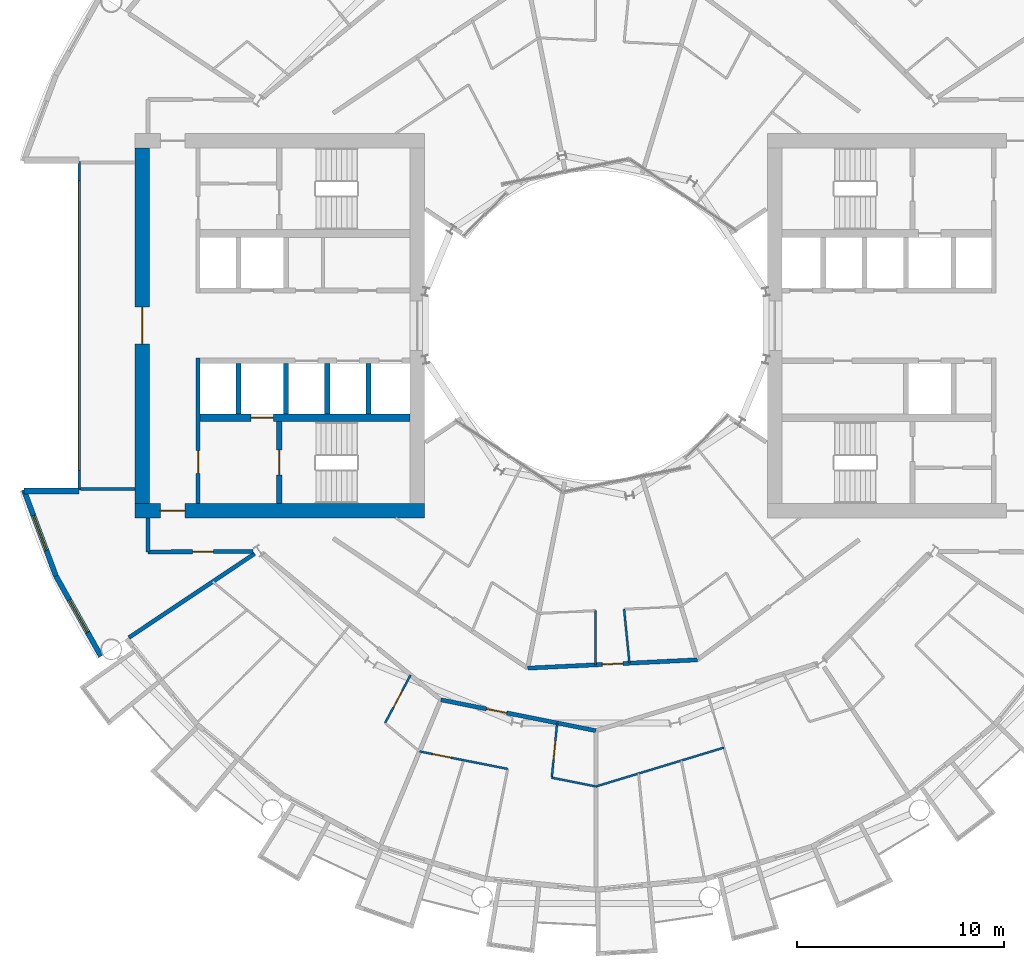
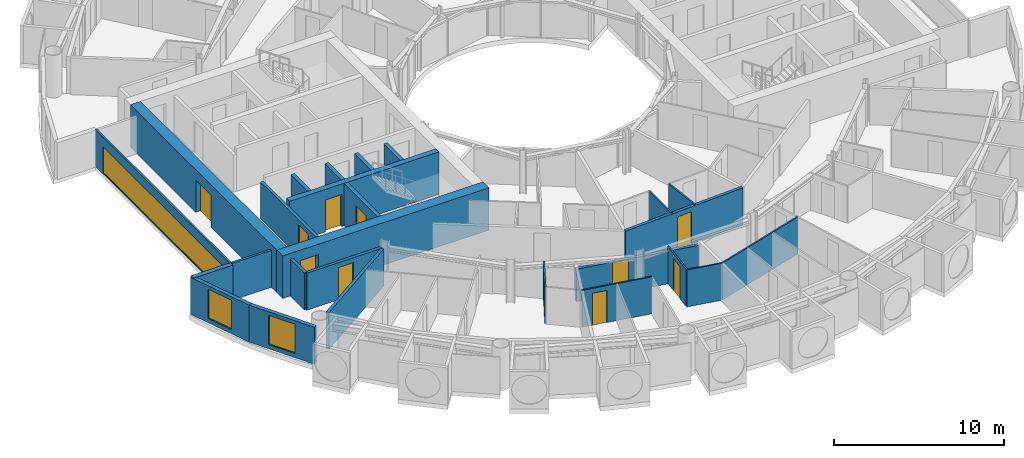
# One storey, part 14 of 25: 26 walls, 11 doors, 3 windows, 14 openings.
"""IFC4 building model written with IfcOpenShell, lengths in metres."""

from ifc_helpers import new_model, si_unit, direction, frame, frame_2d, origin, place, context, subcontext, project, spatial, rectangle, extrude, material, layer, layer_set, type_object, element, fill, save


model = new_model("IFC4")

# Units and contexts
model_context = context("Model", 3, precision=1e-05, world=origin(), true_north=direction((0.0, 1.0)))
body_context = subcontext(model_context, "Body", "Model", "MODEL_VIEW")
ifc_project = project(units=[si_unit("LENGTHUNIT", "METRE"), si_unit("AREAUNIT", "SQUARE_METRE"), si_unit("VOLUMEUNIT", "CUBIC_METRE"), si_unit("PLANEANGLEUNIT", "RADIAN"), si_unit("MASSUNIT", "GRAM", prefix="KILO")], contexts=[model_context])

# Site, building, storey
site_placement = place(None, origin())
site = spatial("IfcSite", under=ifc_project, at=site_placement, CompositionType="ELEMENT")
building_placement = place(site_placement, origin())
building = spatial("IfcBuilding", under=site, at=building_placement, Name="Maasbend Ring Residences", CompositionType="ELEMENT")
storey_placement = place(building_placement, frame((0.0, 0.0, 94.10009765625)))
storey = spatial("IfcBuildingStorey", under=building, at=storey_placement, Name="L27", CompositionType="ELEMENT", Elevation=94.10009765625)

# Wall, opening, door
ifc_material_1 = material(Name="Concrete C70/85", Category="concrete")
ifc_layer_1 = layer(ifc_material_1, 0.25)
ifc_layer_set_1 = layer_set([ifc_layer_1], Name="Concrete C70/85")
wall_type_1 = type_object("IfcWallType", Name="CORE WALL 250 C70/85", PredefinedType="SHEAR", material=ifc_layer_set_1)
wall_1_placement = place(storey_placement, frame((-15.324951171875, -4.64990234375, 0.0), z_axis=(0.0, 0.0, 1.0), x_axis=(0.0, -1.0, 0.0)))
wall_1 = element("IfcWall", 1, at=wall_1_placement, inside=storey, type_object=wall_type_1, Name="L27 core W wall STEN", PredefinedType="SHEAR", context=body_context, shape_type="SweptSolid", body=[
    extrude(rectangle(XDim=3.9501953125, YDim=0.25, at=frame_2d((1.97509765625, 0.0))), origin(), (0.0, 0.0, 1.0), 3.0498046875),
])
opening_1_placement = place(wall_1_placement, frame((1.375, 0.0, 0.0)))
opening_1 = element("IfcOpeningElement", 2, at=opening_1_placement, cuts=wall_1, Name="Opening D-W2709", PredefinedType="OPENING", context=body_context, shape_type="SweptSolid", body=[
    extrude(rectangle(XDim=1.199951171875, YDim=2.300048828125, at=frame_2d((0.60009765625, 1.14990234375))), frame((0.0, 0.135009765625, 0.0), z_axis=(0.0, -1.0, 0.0), x_axis=(1.0, 0.0, 0.0)), (0.0, 0.0, 1.0), 0.27001953125),
])
ifc_material_2 = material(Name="Steel, powder coated", Category="steel")
door_type_1 = type_object("IfcDoorType", Name="STAIR DOOR 1200 X 2300 FD60", OperationType="NOTDEFINED", PredefinedType="DOOR", material=ifc_material_2)
door_1_placement = place(opening_1_placement, origin())
door_1 = element("IfcDoor", 3, at=door_1_placement, inside=storey, type_object=door_type_1, Name="Stair door ST-W L27", OperationType="SINGLE_SWING_LEFT", OverallHeight=2.300048828125, OverallWidth=1.199951171875, PredefinedType="DOOR", context=body_context, shape_type="SweptSolid", body=[
    extrude(rectangle(XDim=1.199951171875, YDim=2.300048828125, at=frame_2d((0.60009765625, 1.14990234375))), frame((0.0, 0.02490234375, 0.0), z_axis=(0.0, -1.0, 0.0), x_axis=(1.0, 0.0, 0.0)), (0.0, 0.0, 1.0), 0.050048828125),
])
fill(opening_1, door_1)

ifc_material_3 = material(Name="Concrete C70/85", Category="concrete")
ifc_layer_2 = layer(ifc_material_3, 0.375)
ifc_layer_set_2 = layer_set([ifc_layer_2], Name="Concrete C70/85")
wall_type_2 = type_object("IfcWallType", Name="CORE WALL 375 C70/85", PredefinedType="SHEAR", material=ifc_layer_set_2)
wall_2_placement = place(storey_placement, frame((-9.0, -4.46240234375, 0.0), z_axis=(0.0, 0.0, 1.0), x_axis=(-1.0, 0.0, 0.0)))
wall_2 = element("IfcWall", 4, at=wall_2_placement, inside=storey, type_object=wall_type_2, Name="L27 core W wall BN", PredefinedType="SHEAR", context=body_context, shape_type="SweptSolid", body=[
    extrude(rectangle(XDim=10.14990234375, YDim=0.375, at=frame_2d((5.074951171875, 0.0))), origin(), (0.0, 0.0, 1.0), 3.0498046875),
])
opening_2_placement = place(wall_2_placement, frame((6.60009765625, 0.0, 0.0)))
opening_2 = element("IfcOpeningElement", 5, at=opening_2_placement, cuts=wall_2, Name="Opening LD-W2704", PredefinedType="OPENING", context=body_context, shape_type="SweptSolid", body=[
    extrude(rectangle(XDim=1.10009765625, YDim=2.300048828125, at=frame_2d((0.550048828125, 1.14990234375))), frame((0.0, 0.197509765625, 0.0), z_axis=(0.0, -1.0, 0.0), x_axis=(1.0, 0.0, 0.0)), (0.0, 0.0, 1.0), 0.39501953125),
])
ifc_material_4 = material(Name="Stainless steel 316", Category="steel")
door_type_2 = type_object("IfcDoorType", Name="LANDING DOOR 1100 X 2300 FD60", OperationType="DOUBLE_DOOR_SLIDING", PredefinedType="DOOR", material=ifc_material_4)
door_2_placement = place(opening_2_placement, origin())
door_2 = element("IfcDoor", 6, at=door_2_placement, inside=storey, type_object=door_type_2, Name="Landing door FF-W L27", OperationType="DOUBLE_DOOR_SLIDING", OverallHeight=2.300048828125, OverallWidth=1.10009765625, PredefinedType="DOOR", context=body_context, shape_type="SweptSolid", body=[
    extrude(rectangle(XDim=1.10009765625, YDim=2.300048828125, at=frame_2d((0.550048828125, 1.14990234375))), frame((0.0, 0.02490234375, 0.0), z_axis=(0.0, -1.0, 0.0), x_axis=(1.0, 0.0, 0.0)), (0.0, 0.0, 1.0), 0.050048828125),
])
fill(opening_2, door_2)

ifc_material_5 = material(Name="Concrete C70/85", Category="concrete")
ifc_layer_3 = layer(ifc_material_5, 0.699951171875)
ifc_layer_set_3 = layer_set([ifc_layer_3], Name="Concrete C70/85")
wall_type_3 = type_object("IfcWallType", Name="CORE WALL 700 C70/85", PredefinedType="SHEAR", material=ifc_layer_set_3)
wall_3_placement = place(storey_placement, frame((-22.300048828125, -8.949951171875, 0.0), z_axis=(0.0, 0.0, 1.0), x_axis=(1.0, 0.0, 0.0)))
wall_3 = element("IfcWall", 7, at=wall_3_placement, inside=storey, type_object=wall_type_3, Name="L27 core W wall PN", PredefinedType="SHEAR", context=body_context, shape_type="SweptSolid", body=[
    extrude(rectangle(XDim=14.0, YDim=0.699951171875, at=frame_2d((7.0, 0.0))), origin(), (0.0, 0.0, 1.0), 3.0498046875),
])
opening_3_placement = place(wall_3_placement, frame((1.22509765625, 0.0, 0.0)))
opening_3 = element("IfcOpeningElement", 8, at=opening_3_placement, cuts=wall_3, Name="Opening D-W2713", PredefinedType="OPENING", context=body_context, shape_type="SweptSolid", body=[
    extrude(rectangle(XDim=1.199951171875, YDim=2.300048828125, at=frame_2d((0.60009765625, 1.14990234375))), frame((0.0, 0.35986328125, 0.0), z_axis=(0.0, -1.0, 0.0), x_axis=(1.0, 0.0, 0.0)), (0.0, 0.0, 1.0), 0.719970703125),
])
ifc_material_6 = material(Name="Steel, powder coated", Category="steel")
door_type_3 = type_object("IfcDoorType", Name="CORRIDOR DOOR 1200 X 2300 FD30S", OperationType="NOTDEFINED", PredefinedType="DOOR", material=ifc_material_6)
door_3_placement = place(opening_3_placement, origin())
door_3 = element("IfcDoor", 9, at=door_3_placement, inside=storey, type_object=door_type_3, Name="Corridor door L27", OperationType="SINGLE_SWING_RIGHT", OverallHeight=2.300048828125, OverallWidth=1.199951171875, PredefinedType="DOOR", context=body_context, shape_type="SweptSolid", body=[
    extrude(rectangle(XDim=1.199951171875, YDim=2.300048828125, at=frame_2d((0.60009765625, 1.14990234375))), frame((0.0, 0.02490234375, 0.0), z_axis=(0.0, -1.0, 0.0), x_axis=(1.0, 0.0, 0.0)), (0.0, 0.0, 1.0), 0.050048828125),
])
fill(opening_3, door_3)

wall_4_placement = place(storey_placement, frame((-21.949951171875, -8.60009765625, 0.0), z_axis=(0.0, 0.0, 1.0), x_axis=(0.0, 1.0, 0.0)))
wall_4 = element("IfcWall", 10, at=wall_4_placement, inside=storey, type_object=wall_type_3, Name="L27 core W wall POUT", PredefinedType="SHEAR", context=body_context, shape_type="SweptSolid", body=[
    extrude(rectangle(XDim=17.2001953125, YDim=0.699951171875, at=frame_2d((8.60009765625, 0.0))), origin(), (0.0, 0.0, 1.0), 3.0498046875),
])
opening_4_placement = place(wall_4_placement, frame((7.699951171875, 0.0, 0.0)))
opening_4 = element("IfcOpeningElement", 11, at=opening_4_placement, cuts=wall_4, Name="Opening D-W2715", PredefinedType="OPENING", context=body_context, shape_type="SweptSolid", body=[
    extrude(rectangle(XDim=1.800048828125, YDim=2.300048828125, at=frame_2d((0.89990234375, 1.14990234375))), frame((0.0, 0.35986328125, 0.0), z_axis=(0.0, -1.0, 0.0), x_axis=(1.0, 0.0, 0.0)), (0.0, 0.0, 1.0), 0.719970703125),
])
ifc_material_7 = material(Name="Aluminium frame, clear glass", Category="aluminium")
door_type_4 = type_object("IfcDoorType", Name="ENTRANCE DOOR 1800 X 2300 FD60", OperationType="NOTDEFINED", PredefinedType="DOOR", material=ifc_material_7)
door_4_placement = place(opening_4_placement, origin())
door_4 = element("IfcDoor", 12, at=door_4_placement, inside=storey, type_object=door_type_4, Name="Lobby glazed door L27", OperationType="SINGLE_SWING_LEFT", OverallHeight=2.300048828125, OverallWidth=1.800048828125, PredefinedType="DOOR", context=body_context, shape_type="SweptSolid", body=[
    extrude(rectangle(XDim=1.800048828125, YDim=2.300048828125, at=frame_2d((0.89990234375, 1.14990234375))), frame((0.0, 0.02490234375, 0.0), z_axis=(0.0, -1.0, 0.0), x_axis=(1.0, 0.0, 0.0)), (0.0, 0.0, 1.0), 0.050048828125),
])
fill(opening_4, door_4)

ifc_material_8 = material(Name="Concrete C30/37", Category="concrete")
ifc_layer_4 = layer(ifc_material_8, 0.199951171875)
ifc_layer_set_4 = layer_set([ifc_layer_4], Name="Concrete C30/37")
wall_type_4 = type_object("IfcWallType", Name="CORRIDOR WALL 200 CONCRETE", PredefinedType="PARTITIONING", material=ifc_layer_set_4)
wall_5_placement = place(storey_placement, frame((-7.5009765625, -18.10791015625, 0.0), z_axis=(0.0, 0.0, 1.0), x_axis=(0.980781515054, -0.195109250749, 0.0)))
wall_5 = element("IfcWall", 13, at=wall_5_placement, inside=storey, type_object=wall_type_4, Name="U-L27-w011", PredefinedType="PARTITIONING", context=body_context, shape_type="SweptSolid", body=[
    extrude(rectangle(XDim=7.64794921875, YDim=0.199951171875, at=frame_2d((3.823974609375, 0.0))), origin(), (0.0, 0.0, 1.0), 2.329833984375),
])
opening_5_placement = place(wall_5_placement, frame((2.25, 0.0, 0.0)))
opening_5 = element("IfcOpeningElement", 14, at=opening_5_placement, cuts=wall_5, Name="Opening D-2738", PredefinedType="OPENING", context=body_context, shape_type="SweptSolid", body=[
    extrude(rectangle(XDim=1.0, YDim=2.300048828125, at=frame_2d((0.5, 1.14990234375))), frame((0.0, 0.10986328125, 0.0), z_axis=(0.0, -1.0, 0.0), x_axis=(1.0, 0.0, 0.0)), (0.0, 0.0, 1.0), 0.219970703125),
])
ifc_material_9 = material(Name="Timber, fire-rated, painted", Category="wood")
door_type_5 = type_object("IfcDoorType", Name="FLAT ENTRANCE DOOR 1000 X 2300 FIRE-RATED", OperationType="NOTDEFINED", PredefinedType="DOOR", material=ifc_material_9)
door_5_placement = place(opening_5_placement, origin())
door_5 = element("IfcDoor", 15, at=door_5_placement, inside=storey, type_object=door_type_5, Name="D-2738", OperationType="SINGLE_SWING_LEFT", OverallHeight=2.300048828125, OverallWidth=1.0, PredefinedType="DOOR", context=body_context, shape_type="SweptSolid", body=[
    extrude(rectangle(XDim=1.0, YDim=2.300048828125, at=frame_2d((0.5, 1.14990234375))), frame((0.0, 0.02490234375, 0.0), z_axis=(0.0, -1.0, 0.0), x_axis=(1.0, 0.0, 0.0)), (0.0, 0.0, 1.0), 0.050048828125),
])
fill(opening_5, door_5)

wall_6_placement = place(storey_placement, frame((-3.297119140625, -16.574951171875, 0.0), z_axis=(0.0, 0.0, 1.0), x_axis=(0.998796706656, 0.0490422142, 0.0)))
wall_6 = element("IfcWall", 16, at=wall_6_placement, inside=storey, type_object=wall_type_4, Name="U-L27-w015", PredefinedType="PARTITIONING", context=body_context, shape_type="SweptSolid", body=[
    extrude(rectangle(XDim=8.2138671875, YDim=0.199951171875, at=frame_2d((4.10693359375, 0.0))), origin(), (0.0, 0.0, 1.0), 2.64990234375),
])
opening_6_placement = place(wall_6_placement, frame((3.614013671875, 0.0, 0.0)))
opening_6 = element("IfcOpeningElement", 17, at=opening_6_placement, cuts=wall_6, Name="Opening D-2756", PredefinedType="OPENING", context=body_context, shape_type="SweptSolid", body=[
    extrude(rectangle(XDim=1.0, YDim=2.300048828125, at=frame_2d((0.5, 1.14990234375))), frame((0.0, 0.10986328125, 0.0), z_axis=(0.0, -1.0, 0.0), x_axis=(1.0, 0.0, 0.0)), (0.0, 0.0, 1.0), 0.219970703125),
])
door_6_placement = place(opening_6_placement, origin())
door_6 = element("IfcDoor", 18, at=door_6_placement, inside=storey, type_object=door_type_5, Name="D-2756", OperationType="SINGLE_SWING_RIGHT", OverallHeight=2.300048828125, OverallWidth=1.0, PredefinedType="DOOR", context=body_context, shape_type="SweptSolid", body=[
    extrude(rectangle(XDim=1.0, YDim=2.300048828125, at=frame_2d((0.5, 1.14990234375))), frame((0.0, 0.02490234375, 0.0), z_axis=(0.0, -1.0, 0.0), x_axis=(1.0, 0.0, 0.0)), (0.0, 0.0, 1.0), 0.050048828125),
])
fill(opening_6, door_6)

wall_7_placement = place(storey_placement, frame((-21.675048828125, -10.949951171875, 0.0), z_axis=(0.0, 0.0, 1.0), x_axis=(0.999988944514, 0.004702217579, 0.0)))
wall_7 = element("IfcWall", 19, at=wall_7_placement, inside=storey, type_object=wall_type_4, Name="U-L27-w024", PredefinedType="PARTITIONING", context=body_context, shape_type="SweptSolid", body=[
    extrude(rectangle(XDim=5.088134765625, YDim=0.199951171875, at=frame_2d((2.5439453125, 0.0))), origin(), (0.0, 0.0, 1.0), 2.64990234375),
])
opening_7_placement = place(wall_7_placement, frame((2.162109375, 0.0, 0.0)))
opening_7 = element("IfcOpeningElement", 20, at=opening_7_placement, cuts=wall_7, Name="Opening D-2763", PredefinedType="OPENING", context=body_context, shape_type="SweptSolid", body=[
    extrude(rectangle(XDim=1.0, YDim=2.300048828125, at=frame_2d((0.5, 1.14990234375))), frame((0.0, 0.10986328125, 0.0), z_axis=(0.0, -1.0, 0.0), x_axis=(1.0, 0.0, 0.0)), (0.0, 0.0, 1.0), 0.219970703125),
])
ifc_material_10 = material(Name="Timber, painted", Category="wood")
door_type_6 = type_object("IfcDoorType", Name="ROOM DOOR 1000 X 2300", OperationType="NOTDEFINED", PredefinedType="DOOR", material=ifc_material_10)
door_7_placement = place(opening_7_placement, origin())
door_7 = element("IfcDoor", 21, at=door_7_placement, inside=storey, type_object=door_type_6, Name="D-2763", OperationType="SINGLE_SWING_RIGHT", OverallHeight=2.300048828125, OverallWidth=1.0, PredefinedType="DOOR", context=body_context, shape_type="SweptSolid", body=[
    extrude(rectangle(XDim=1.0, YDim=2.300048828125, at=frame_2d((0.5, 1.14990234375))), frame((0.0, 0.02490234375, 0.0), z_axis=(0.0, -1.0, 0.0), x_axis=(1.0, 0.0, 0.0)), (0.0, 0.0, 1.0), 0.050048828125),
])
fill(opening_7, door_7)

# Wall
wall_8_placement = place(storey_placement, frame((-21.675048828125, -10.949951171875, 0.0), z_axis=(0.0, 0.0, 1.0), x_axis=(0.0, 1.0, 0.0)))
element("IfcWall", 22, at=wall_8_placement, inside=storey, type_object=wall_type_4, Name="U-L27-w106", PredefinedType="PARTITIONING", context=body_context, shape_type="SweptSolid", body=[
    extrude(rectangle(XDim=1.64990234375, YDim=0.199951171875, at=frame_2d((0.824951171875, 0.0))), origin(), (0.0, 0.0, 1.0), 2.64990234375),
])

# Wall, opening, window
ifc_material_11 = material(Name="Aluminium clad insulated panel", Category="aluminium")
ifc_layer_5 = layer(ifc_material_11, 0.25)
ifc_layer_set_5 = layer_set([ifc_layer_5], Name="EW-HORN")
wall_type_5 = type_object("IfcWallType", Name="EW-HORN", PredefinedType="SOLIDWALL", material=ifc_layer_set_5)
wall_9_placement = place(storey_placement, frame((-27.681884765625, -7.945068359375, 0.0), z_axis=(0.0, 0.0, 1.0), x_axis=(0.349247811493, -0.937030397675, 0.0)))
wall_9 = element("IfcWall", 23, at=wall_9_placement, inside=storey, type_object=wall_type_5, Name="Horn wall 3.1", PredefinedType="SOLIDWALL", context=body_context, shape_type="SweptSolid", body=[
    extrude(rectangle(XDim=4.4521484375, YDim=0.25, at=frame_2d((2.22607421875, 0.0))), origin(), (0.0, 0.0, 1.0), 2.64990234375),
])
opening_8_placement = place(wall_9_placement, frame((1.32666015625, 0.0, 0.300048828125)))
opening_8 = element("IfcOpeningElement", 24, at=opening_8_placement, cuts=wall_9, Name="Opening W-BX", PredefinedType="OPENING", context=body_context, shape_type="SweptSolid", body=[
    extrude(rectangle(XDim=1.800048828125, YDim=2.10009765625, at=frame_2d((0.89990234375, 1.050048828125))), frame((0.0, 0.135009765625, 0.0), z_axis=(0.0, -1.0, 0.0), x_axis=(1.0, 0.0, 0.0)), (0.0, 0.0, 1.0), 0.27001953125),
])
ifc_material_12 = material(Name="Aluminium and clear glass", Category="aluminium")
window_type_1 = type_object("IfcWindowType", Name="W-BX", PartitioningType="DOUBLE_PANEL_VERTICAL", PredefinedType="WINDOW", material=ifc_material_12)
window_1_placement = place(opening_8_placement, origin())
window_1 = element("IfcWindow", 25, at=window_1_placement, inside=storey, type_object=window_type_1, Name="Horn window 3.1", OverallHeight=2.10009765625, OverallWidth=1.800048828125, PartitioningType="SINGLE_PANEL", PredefinedType="WINDOW", context=body_context, shape_type="SweptSolid", body=[
    extrude(rectangle(XDim=1.800048828125, YDim=2.10009765625, at=frame_2d((0.89990234375, 1.050048828125))), frame((0.0, 0.030029296875, 0.0), z_axis=(0.0, -1.0, 0.0), x_axis=(1.0, 0.0, 0.0)), (0.0, 0.0, 1.0), 0.06005859375),
])
fill(opening_8, window_1)

wall_10_placement = place(storey_placement, frame((-26.126953125, -12.116943359375, 0.0), z_axis=(0.0, 0.0, 1.0), x_axis=(0.489696356642, -0.871893042919, 0.0)))
wall_10 = element("IfcWall", 26, at=wall_10_placement, inside=storey, type_object=wall_type_5, Name="Horn wall 3.2", PredefinedType="SOLIDWALL", context=body_context, shape_type="SweptSolid", body=[
    extrude(rectangle(XDim=4.45361328125, YDim=0.25, at=frame_2d((2.226806640625, 0.0))), origin(), (0.0, 0.0, 1.0), 2.64990234375),
])
opening_9_placement = place(wall_10_placement, frame((1.32666015625, 0.0, 0.300048828125)))
opening_9 = element("IfcOpeningElement", 27, at=opening_9_placement, cuts=wall_10, Name="Opening W-BX", PredefinedType="OPENING", context=body_context, shape_type="SweptSolid", body=[
    extrude(rectangle(XDim=1.800048828125, YDim=2.10009765625, at=frame_2d((0.89990234375, 1.050048828125))), frame((0.0, 0.135009765625, 0.0), z_axis=(0.0, -1.0, 0.0), x_axis=(1.0, 0.0, 0.0)), (0.0, 0.0, 1.0), 0.27001953125),
])
window_2_placement = place(opening_9_placement, origin())
window_2 = element("IfcWindow", 28, at=window_2_placement, inside=storey, type_object=window_type_1, Name="Horn window 3.2", OverallHeight=2.10009765625, OverallWidth=1.800048828125, PartitioningType="SINGLE_PANEL", PredefinedType="WINDOW", context=body_context, shape_type="SweptSolid", body=[
    extrude(rectangle(XDim=1.800048828125, YDim=2.10009765625, at=frame_2d((0.89990234375, 1.050048828125))), frame((0.0, 0.030029296875, 0.0), z_axis=(0.0, -1.0, 0.0), x_axis=(1.0, 0.0, 0.0)), (0.0, 0.0, 1.0), 0.06005859375),
])
fill(opening_9, window_2)

# Wall
ifc_material_13 = material(Name="Aluminium clad insulated panel", Category="aluminium")
ifc_layer_6 = layer(ifc_material_13, 0.300048828125)
ifc_layer_set_6 = layer_set([ifc_layer_6], Name="EW-RET")
wall_type_6 = type_object("IfcWallType", Name="EW-RET", PredefinedType="SOLIDWALL", material=ifc_layer_set_6)
wall_11_placement = place(storey_placement, frame((-25.0, -8.0, 0.0), z_axis=(0.0, 0.0, 1.0), x_axis=(-1.0, 0.0, 0.0)))
element("IfcWall", 29, at=wall_11_placement, inside=storey, type_object=wall_type_6, Name="Notch return wall west south", PredefinedType="SOLIDWALL", context=body_context, shape_type="SweptSolid", body=[
    extrude(rectangle(XDim=2.6669921875, YDim=0.300048828125, at=frame_2d((1.33349609375, 0.0))), origin(), (0.0, 0.0, 1.0), 2.64990234375),
])

# Wall, opening, window
ifc_material_14 = material(Name="Aluminium frame and clear glass", Category="aluminium")
ifc_layer_7 = layer(ifc_material_14, 0.1201171875)
ifc_layer_set_7 = layer_set([ifc_layer_7], Name="GLAZED SCREEN WALL 120 EI 60")
wall_type_7 = type_object("IfcWallType", Name="GLAZED SCREEN WALL 120 EI 60", PredefinedType="PARTITIONING", material=ifc_layer_set_7)
wall_12_placement = place(storey_placement, frame((-25.0, 7.949951171875, 0.0), z_axis=(0.0, 0.0, 1.0), x_axis=(0.0, -1.0, 0.0)))
wall_12 = element("IfcWall", 30, at=wall_12_placement, inside=storey, type_object=wall_type_7, Name="L27 core W wall FACE", PredefinedType="PARTITIONING", context=body_context, shape_type="SweptSolid", body=[
    extrude(rectangle(XDim=15.89990234375, YDim=0.1201171875, at=frame_2d((7.949951171875, 0.0))), origin(), (0.0, 0.0, 1.0), 2.64990234375),
])
opening_10_placement = place(wall_12_placement, frame((0.949951171875, 0.0, 0.10009765625)))
opening_10 = element("IfcOpeningElement", 31, at=opening_10_placement, cuts=wall_12, Name="Opening W-W2702", PredefinedType="OPENING", context=body_context, shape_type="SweptSolid", body=[
    extrude(rectangle(XDim=14.0, YDim=1.85009765625, at=frame_2d((7.0, 0.925048828125))), frame((0.0, 0.070068359375, 0.0), z_axis=(0.0, -1.0, 0.0), x_axis=(1.0, 0.0, 0.0)), (0.0, 0.0, 1.0), 0.14013671875),
])
ifc_material_15 = material(Name="Aluminium frame and clear glass", Category="aluminium")
window_type_2 = type_object("IfcWindowType", Name="FIXED WINDOW 14000 X 1850", PartitioningType="SINGLE_PANEL", PredefinedType="WINDOW", material=ifc_material_15)
window_3_placement = place(opening_10_placement, origin())
window_3 = element("IfcWindow", 32, at=window_3_placement, inside=storey, type_object=window_type_2, Name="Lobby window L27", OverallHeight=1.85009765625, OverallWidth=14.0, PartitioningType="SINGLE_PANEL", PredefinedType="WINDOW", context=body_context, shape_type="SweptSolid", body=[
    extrude(rectangle(XDim=14.0, YDim=1.85009765625, at=frame_2d((7.0, 0.925048828125))), frame((0.0, 0.030029296875, 0.0), z_axis=(0.0, -1.0, 0.0), x_axis=(1.0, 0.0, 0.0)), (0.0, 0.0, 1.0), 0.06005859375),
])
fill(opening_10, window_3)

# Wall, opening, door
ifc_material_16 = material(Name="Gypsum board on steel studs", Category="steel")
ifc_layer_8 = layer(ifc_material_16, 0.10009765625)
ifc_layer_set_8 = layer_set([ifc_layer_8], Name="PARTITION 100 GYPSUM")
wall_type_8 = type_object("IfcWallType", Name="PARTITION 100 GYPSUM", PredefinedType="PARTITIONING", material=ifc_layer_set_8)
wall_13_placement = place(storey_placement, frame((-8.535888671875, -20.60302734375, 0.0), z_axis=(0.0, 0.0, 1.0), x_axis=(0.980795826794, -0.195037294239, 0.0)))
wall_13 = element("IfcWall", 33, at=wall_13_placement, inside=storey, type_object=wall_type_8, Name="U-L27-w001", PredefinedType="PARTITIONING", context=body_context, shape_type="SweptSolid", body=[
    extrude(rectangle(XDim=4.352294921875, YDim=0.10009765625, at=frame_2d((2.17626953125, 0.0))), origin(), (0.0, 0.0, 1.0), 2.64990234375),
])
opening_11_placement = place(wall_13_placement, frame((0.638916015625, 0.0, 0.0)))
opening_11 = element("IfcOpeningElement", 34, at=opening_11_placement, cuts=wall_13, Name="Opening D-2741", PredefinedType="OPENING", context=body_context, shape_type="SweptSolid", body=[
    extrude(rectangle(XDim=0.89990234375, YDim=2.300048828125, at=frame_2d((0.449951171875, 1.14990234375))), frame((0.0, 0.06005859375, 0.0), z_axis=(0.0, -1.0, 0.0), x_axis=(1.0, 0.0, 0.0)), (0.0, 0.0, 1.0), 0.1201171875),
])
ifc_material_17 = material(Name="Timber, painted", Category="wood")
door_type_7 = type_object("IfcDoorType", Name="INTERNAL DOOR 900 X 2300", OperationType="NOTDEFINED", PredefinedType="DOOR", material=ifc_material_17)
door_8_placement = place(opening_11_placement, origin())
door_8 = element("IfcDoor", 35, at=door_8_placement, inside=storey, type_object=door_type_7, Name="D-2741", OperationType="SINGLE_SWING_LEFT", OverallHeight=2.300048828125, OverallWidth=0.89990234375, PredefinedType="DOOR", context=body_context, shape_type="SweptSolid", body=[
    extrude(rectangle(XDim=0.89990234375, YDim=2.300048828125, at=frame_2d((0.449951171875, 1.14990234375))), frame((0.0, 0.02490234375, 0.0), z_axis=(0.0, -1.0, 0.0), x_axis=(1.0, 0.0, 0.0)), (0.0, 0.0, 1.0), 0.050048828125),
])
fill(opening_11, door_8)

# Walls
wall_14_placement = place(storey_placement, frame((-2.133056640625, -21.8759765625, 0.0), z_axis=(0.0, 0.0, 1.0), x_axis=(0.980804550577, -0.194993419292, 0.0)))
element("IfcWall", 36, at=wall_14_placement, inside=storey, type_object=wall_type_8, Name="U-L27-w002", PredefinedType="PARTITIONING", context=body_context, shape_type="SweptSolid", body=[
    extrude(rectangle(XDim=2.1748046875, YDim=0.10009765625, at=frame_2d((1.08740234375, 0.0))), origin(), (0.0, 0.0, 1.0), 2.64990234375),
])
wall_15_placement = place(storey_placement, frame((0.0, -22.300048828125, 0.0), z_axis=(0.0, 0.0, 1.0), x_axis=(0.956940987612, 0.290282528286, 0.0)))
element("IfcWall", 37, at=wall_15_placement, inside=storey, type_object=wall_type_8, Name="U-L27-w009", PredefinedType="PARTITIONING", context=body_context, shape_type="SweptSolid", body=[
    extrude(rectangle(XDim=6.476806640625, YDim=0.10009765625, at=frame_2d((3.23828125, 0.0))), origin(), (0.0, 0.0, 1.0), 2.64990234375),
])

# Wall, opening, door
wall_16_placement = place(storey_placement, frame((-10.201904296875, -19.23388671875, 0.0), z_axis=(0.0, 0.0, 1.0), x_axis=(0.468462103808, 0.883483591979, 0.0)))
wall_16 = element("IfcWall", 38, at=wall_16_placement, inside=storey, type_object=wall_type_8, Name="U-L27-w039", PredefinedType="PARTITIONING", context=body_context, shape_type="SweptSolid", body=[
    extrude(rectangle(XDim=2.635986328125, YDim=0.10009765625, at=frame_2d((1.31787109375, 0.0))), origin(), (0.0, 0.0, 1.0), 2.64990234375),
])
opening_12_placement = place(wall_16_placement, frame((0.867919921875, 0.0, 0.0)))
opening_12 = element("IfcOpeningElement", 39, at=opening_12_placement, cuts=wall_16, Name="Opening D-2733", PredefinedType="OPENING", context=body_context, shape_type="SweptSolid", body=[
    extrude(rectangle(XDim=0.89990234375, YDim=2.300048828125, at=frame_2d((0.449951171875, 1.14990234375))), frame((0.0, 0.06005859375, 0.0), z_axis=(0.0, -1.0, 0.0), x_axis=(1.0, 0.0, 0.0)), (0.0, 0.0, 1.0), 0.1201171875),
])
door_9_placement = place(opening_12_placement, origin())
door_9 = element("IfcDoor", 40, at=door_9_placement, inside=storey, type_object=door_type_7, Name="D-2733", OperationType="SINGLE_SWING_RIGHT", OverallHeight=2.300048828125, OverallWidth=0.89990234375, PredefinedType="DOOR", context=body_context, shape_type="SweptSolid", body=[
    extrude(rectangle(XDim=0.89990234375, YDim=2.300048828125, at=frame_2d((0.449951171875, 1.14990234375))), frame((0.0, 0.02490234375, 0.0), z_axis=(0.0, -1.0, 0.0), x_axis=(1.0, 0.0, 0.0)), (0.0, 0.0, 1.0), 0.050048828125),
])
fill(opening_12, door_9)

wall_17_placement = place(storey_placement, frame((-2.133056640625, -21.8759765625, 0.0), z_axis=(0.0, 0.0, 1.0), x_axis=(0.096960338807, 0.995288246036, 0.0)))
wall_17 = element("IfcWall", 41, at=wall_17_placement, inside=storey, type_object=wall_type_8, Name="U-L27-w053", PredefinedType="PARTITIONING", context=body_context, shape_type="SweptSolid", body=[
    extrude(rectangle(XDim=2.661376953125, YDim=0.10009765625, at=frame_2d((1.33056640625, 0.0))), origin(), (0.0, 0.0, 1.0), 2.64990234375),
])
opening_13_placement = place(wall_17_placement, frame((0.881103515625, 0.0, 0.0)))
opening_13 = element("IfcOpeningElement", 42, at=opening_13_placement, cuts=wall_17, Name="Opening D-2739", PredefinedType="OPENING", context=body_context, shape_type="SweptSolid", body=[
    extrude(rectangle(XDim=0.89990234375, YDim=2.300048828125, at=frame_2d((0.449951171875, 1.14990234375))), frame((0.0, 0.06005859375, 0.0), z_axis=(0.0, -1.0, 0.0), x_axis=(1.0, 0.0, 0.0)), (0.0, 0.0, 1.0), 0.1201171875),
])
door_10_placement = place(opening_13_placement, origin())
door_10 = element("IfcDoor", 43, at=door_10_placement, inside=storey, type_object=door_type_7, Name="D-2739", OperationType="SINGLE_SWING_LEFT", OverallHeight=2.300048828125, OverallWidth=0.89990234375, PredefinedType="DOOR", context=body_context, shape_type="SweptSolid", body=[
    extrude(rectangle(XDim=0.89990234375, YDim=2.300048828125, at=frame_2d((0.449951171875, 1.14990234375))), frame((0.0, 0.02490234375, 0.0), z_axis=(0.0, -1.0, 0.0), x_axis=(1.0, 0.0, 0.0)), (0.0, 0.0, 1.0), 0.050048828125),
])
fill(opening_13, door_10)

# Walls
wall_18_placement = place(storey_placement, frame((-0.01611328125, -16.4140625, 0.0), z_axis=(0.0, 0.0, 1.0), x_axis=(0.001210427419, 0.999999267432, 0.0)))
element("IfcWall", 44, at=wall_18_placement, inside=storey, type_object=wall_type_8, Name="U-L27-w055", PredefinedType="PARTITIONING", context=body_context, shape_type="SweptSolid", body=[
    extrude(rectangle(XDim=2.6220703125, YDim=0.10009765625, at=frame_2d((1.31103515625, 0.0))), origin(), (0.0, 0.0, 1.0), 2.64990234375),
])
wall_19_placement = place(storey_placement, frame((1.364990234375, -13.72412109375, 0.0), z_axis=(0.0, 0.0, 1.0), x_axis=(0.099171803948, -0.995070325807, 0.0)))
element("IfcWall", 45, at=wall_19_placement, inside=storey, type_object=wall_type_8, Name="U-L27-w059", PredefinedType="PARTITIONING", context=body_context, shape_type="SweptSolid", body=[
    extrude(rectangle(XDim=2.621826171875, YDim=0.10009765625, at=frame_2d((1.31103515625, 0.0))), origin(), (0.0, 0.0, 1.0), 2.64990234375),
])
ifc_material_18 = material(Name="Gypsum board on steel studs", Category="steel")
ifc_layer_9 = layer(ifc_material_18, 0.14990234375)
ifc_layer_set_9 = layer_set([ifc_layer_9], Name="PARTITION 150 EI 60")
wall_type_9 = type_object("IfcWallType", Name="PARTITION 150 EI 60", PredefinedType="PARTITIONING", material=ifc_layer_set_9)
wall_20_placement = place(storey_placement, frame((-22.300048828125, -7.89990234375, 0.0), z_axis=(0.0, 0.0, 1.0), x_axis=(-1.0, 0.0, 0.0)))
element("IfcWall", 46, at=wall_20_placement, inside=storey, type_object=wall_type_9, Name="L27 core W wall CITN", PredefinedType="PARTITIONING", context=body_context, shape_type="SweptSolid", body=[
    extrude(rectangle(XDim=2.639892578125, YDim=0.14990234375, at=frame_2d((1.31982421875, 0.0))), origin(), (0.0, 0.0, 1.0), 2.64990234375),
])
ifc_material_19 = material(Name="Concrete C30/37", Category="concrete")
ifc_layer_10 = layer(ifc_material_19, 0.199951171875)
ifc_layer_set_10 = layer_set([ifc_layer_10], Name="Concrete C30/37")
wall_type_10 = type_object("IfcWallType", Name="PARTY WALL 200 CONCRETE", PredefinedType="PARTITIONING", material=ifc_layer_set_10)
wall_21_placement = place(storey_placement, frame((-22.594970703125, -15.096923828125, 0.0), z_axis=(0.0, 0.0, 1.0), x_axis=(0.831505405283, 0.555516661303, 0.0)))
element("IfcWall", 47, at=wall_21_placement, inside=storey, type_object=wall_type_10, Name="U-L27-w029", PredefinedType="PARTITIONING", context=body_context, shape_type="SweptSolid", body=[
    extrude(rectangle(XDim=7.31201171875, YDim=0.199951171875, at=frame_2d((3.656005859375, 0.0))), origin(), (0.0, 0.0, 1.0), 2.64990234375),
])

# Wall, opening, door
ifc_material_20 = material(Name="Concrete C30/37", Category="concrete")
ifc_layer_11 = layer(ifc_material_20, 0.199951171875)
ifc_layer_set_11 = layer_set([ifc_layer_11], Name="Concrete C30/37")
wall_type_11 = type_object("IfcWallType", Name="SHAFT WALL 200 EI 120", PredefinedType="SOLIDWALL", material=ifc_layer_set_11)
wall_22_placement = place(storey_placement, frame((-19.25, -1.574951171875, 0.0), z_axis=(0.0, 0.0, 1.0), x_axis=(0.0, -1.0, 0.0)))
wall_22 = element("IfcWall", 48, at=wall_22_placement, inside=storey, type_object=wall_type_11, Name="L27 core W wall ENDN", PredefinedType="SOLIDWALL", context=body_context, shape_type="SweptSolid", body=[
    extrude(rectangle(XDim=7.025146484375, YDim=0.199951171875, at=frame_2d((3.5126953125, 0.0))), origin(), (0.0, 0.0, 1.0), 2.64990234375),
])
opening_14_placement = place(wall_22_placement, frame((4.47509765625, 0.0, 0.0)))
opening_14 = element("IfcOpeningElement", 49, at=opening_14_placement, cuts=wall_22, Name="Opening D-W2711", PredefinedType="OPENING", context=body_context, shape_type="SweptSolid", body=[
    extrude(rectangle(XDim=1.10009765625, YDim=2.300048828125, at=frame_2d((0.550048828125, 1.14990234375))), frame((0.0, 0.10986328125, 0.0), z_axis=(0.0, -1.0, 0.0), x_axis=(1.0, 0.0, 0.0)), (0.0, 0.0, 1.0), 0.219970703125),
])
ifc_material_21 = material(Name="Steel, powder coated", Category="steel")
door_type_8 = type_object("IfcDoorType", Name="LOBBY DOOR 1100 X 2300 FD60", OperationType="NOTDEFINED", PredefinedType="DOOR", material=ifc_material_21)
door_11_placement = place(opening_14_placement, origin())
door_11 = element("IfcDoor", 50, at=door_11_placement, inside=storey, type_object=door_type_8, Name="Lobby door L27", OperationType="SINGLE_SWING_LEFT", OverallHeight=2.300048828125, OverallWidth=1.10009765625, PredefinedType="DOOR", context=body_context, shape_type="SweptSolid", body=[
    extrude(rectangle(XDim=1.10009765625, YDim=2.300048828125, at=frame_2d((0.550048828125, 1.14990234375))), frame((0.0, 0.02490234375, 0.0), z_axis=(0.0, -1.0, 0.0), x_axis=(1.0, 0.0, 0.0)), (0.0, 0.0, 1.0), 0.050048828125),
])
fill(opening_14, door_11)

# Walls
ifc_material_22 = material(Name="Concrete C30/37", Category="concrete")
ifc_layer_12 = layer(ifc_material_22, 0.25)
ifc_layer_set_12 = layer_set([ifc_layer_12], Name="Concrete C30/37")
wall_type_12 = type_object("IfcWallType", Name="SHAFT WALL 250 EI 120", PredefinedType="SOLIDWALL", material=ifc_layer_set_12)
for number, where, z_axis, x_axis, name in (
    (51, (-15.0, -1.824951171875, 0.0), (0.0, 0.0, 1.0), (0.0, -1.0, 0.0), "L27 core W wall D150N"),
    (52, (-17.300048828125, -1.824951171875, 0.0), (0.0, 0.0, 1.0), (0.0, -1.0, 0.0), "L27 core W wall D173N"),
    (53, (-11.0, -1.824951171875, 0.0), (0.0, 0.0, 1.0), (0.0, -1.0, 0.0), "L27 core W wall D110N"),
    (54, (-13.0, -1.824951171875, 0.0), (0.0, 0.0, 1.0), (0.0, -1.0, 0.0), "L27 core W wall D130N"),
):
    element("IfcWall", number, at=place(storey_placement, frame(where, z_axis=z_axis, x_axis=x_axis)), inside=storey, type_object=wall_type_12, Name=name, PredefinedType="SOLIDWALL", context=body_context, shape_type="SweptSolid", body=[
        extrude(rectangle(XDim=2.449951171875, YDim=0.25, at=frame_2d((1.22509765625, 0.0))), origin(), (0.0, 0.0, 1.0), 2.64990234375),
    ])

save(model, "model.ifc")
